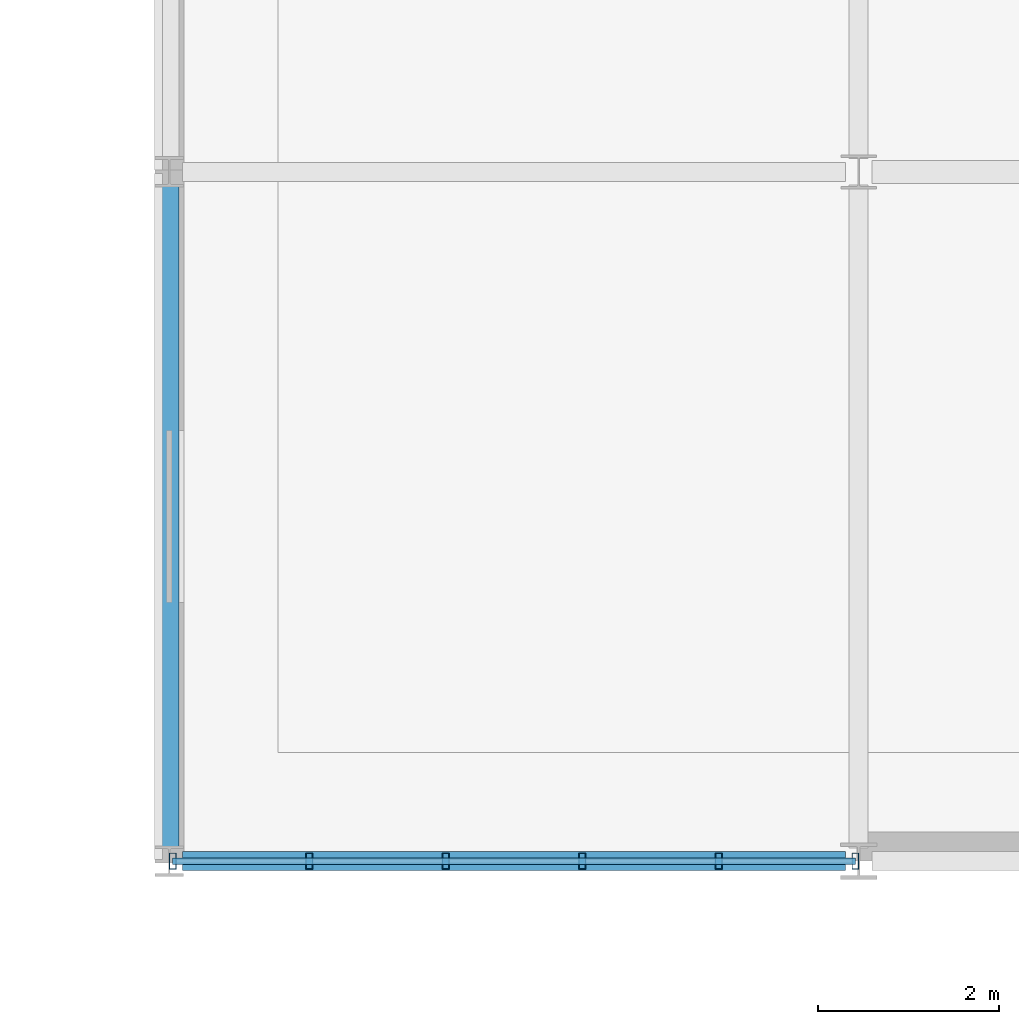
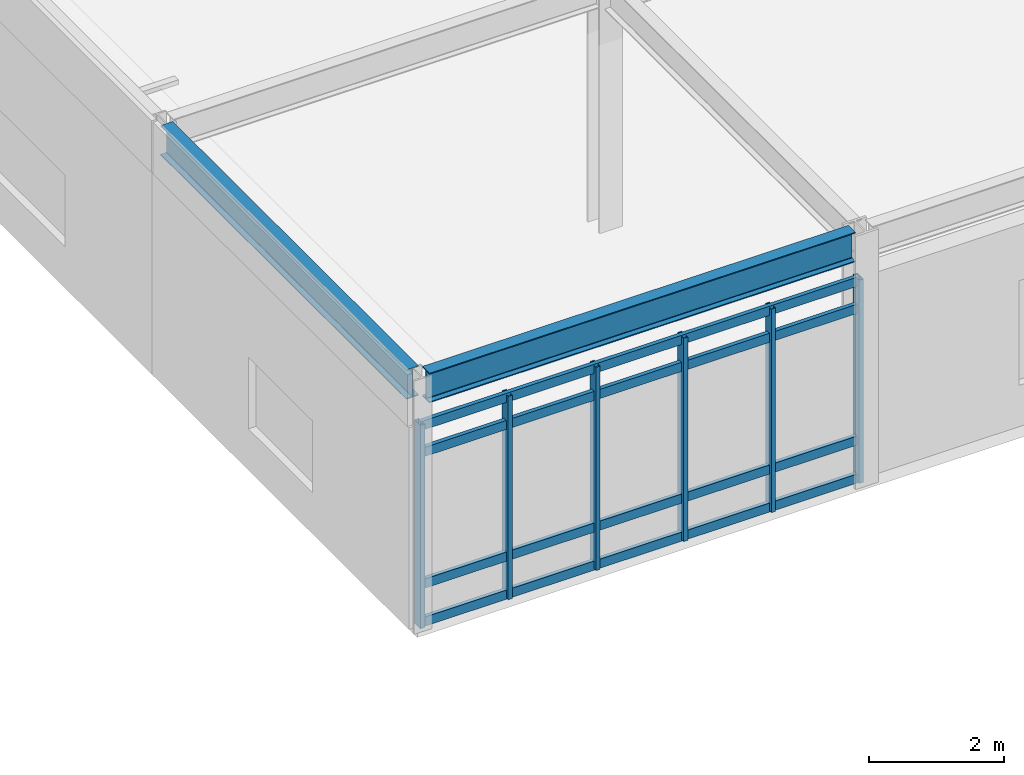
# One storey, part 41 of 104: 10 members, 2 beams, 1 element without a shape of its own.
"""IFC4 building model written with IfcOpenShell, lengths in metres."""

from ifc_helpers import new_model, si_unit, direction, frame, origin, origin_2d, place, context, subcontext, project, spatial, hollow_rectangle, i_section, extrude, material, material_profile, profile_set, type_object, element, aggregate, save


model = new_model("IFC4")

# Units and contexts
model_context = context("Model", 3, precision=1e-05, world=origin(), true_north=direction((0.0, 1.0)))
body_context = subcontext(model_context, "Body", "Model", "MODEL_VIEW")
ifc_project = project(units=[si_unit("LENGTHUNIT", "METRE"), si_unit("AREAUNIT", "SQUARE_METRE"), si_unit("VOLUMEUNIT", "CUBIC_METRE"), si_unit("PLANEANGLEUNIT", "RADIAN"), si_unit("MASSUNIT", "GRAM", prefix="KILO")], contexts=[model_context])

# Site, building, storey
site_placement = place(None, origin())
site = spatial("IfcSite", under=ifc_project, at=site_placement, CompositionType="ELEMENT")
building_placement = place(site_placement, origin())
building = spatial("IfcBuilding", under=site, at=building_placement, Name="Zulena Civic Courthouse", CompositionType="ELEMENT")
storey_placement = place(building_placement, frame((0.0, 0.0, 15.60009765625)))
storey = spatial("IfcBuildingStorey", under=building, at=storey_placement, Name="L03", CompositionType="ELEMENT", Elevation=15.60009765625)

# Curtain wall, members
ifc_material_1 = material(Name="Double-silver low-E laminated solar-control glass", Category="glass")
curtain_wall_type = type_object("IfcCurtainWallType", Name="CW_7528x3690", PredefinedType="USERDEFINED", material=ifc_material_1)
curtain_wall_placement = place(storey_placement, origin())
curtain_wall = element("IfcCurtainWall", 1, at=curtain_wall_placement, inside=storey, type_object=curtain_wall_type, Name="cw:V1:L03:3:5", ObjectType="UNITISED CURTAIN WALL", PredefinedType="USERDEFINED")
ifc_material_2 = material(Name="Bronze anodised thermally broken aluminium AA6063-T6", Category="aluminium")
ifc_material_profile_1 = material_profile(ifc_material_2, hollow_rectangle(XDim=0.074951171875, YDim=0.179931640625, WallThickness=0.0048828125, at=origin_2d()), Name="CWM180X75X5")
ifc_profile_set_1 = profile_set([ifc_material_profile_1], Name="Bronze anodised thermally broken aluminium AA6063-T6")
member_type_1 = type_object("IfcMemberType", Name="CWMullion_180x75", PredefinedType="MULLION", material=ifc_profile_set_1)
member_1_placement = place(storey_placement, frame((131.964111328125, 0.0, 0.0), z_axis=(0.0, 0.0, 1.0), x_axis=(1.0, 0.0, 0.0)))
member_1 = element("IfcMember", 2, at=member_1_placement, type_object=member_type_1, Name="cw:V1:L03:3:5:mull:0", PredefinedType="MULLION", context=body_context, shape_type="SweptSolid", body=[
    extrude(hollow_rectangle(XDim=0.074951171875, YDim=0.179931640625, WallThickness=0.0048828125, at=origin_2d()), origin(), (0.0, 0.0, 1.0), 3.68994140625),
])
member_2_placement = place(storey_placement, frame((130.45849609375, 0.0, 0.0), z_axis=(0.0, 0.0, 1.0), x_axis=(1.0, 0.0, 0.0)))
member_2 = element("IfcMember", 3, at=member_2_placement, type_object=member_type_1, Name="cw:V1:L03:3:5:mull:1", PredefinedType="MULLION", context=body_context, shape_type="SweptSolid", body=[
    extrude(hollow_rectangle(XDim=0.074951171875, YDim=0.179931640625, WallThickness=0.0048828125, at=origin_2d()), origin(), (0.0, 0.0, 1.0), 3.68994140625),
])
member_3_placement = place(storey_placement, frame((128.952880859375, 0.0, 0.0), z_axis=(0.0, 0.0, 1.0), x_axis=(1.0, 0.0, 0.0)))
member_3 = element("IfcMember", 4, at=member_3_placement, type_object=member_type_1, Name="cw:V1:L03:3:5:mull:2", PredefinedType="MULLION", context=body_context, shape_type="SweptSolid", body=[
    extrude(hollow_rectangle(XDim=0.074951171875, YDim=0.179931640625, WallThickness=0.0048828125, at=origin_2d()), origin(), (0.0, 0.0, 1.0), 3.68994140625),
])
member_4_placement = place(storey_placement, frame((127.447265625, 0.0, 0.0), z_axis=(0.0, 0.0, 1.0), x_axis=(1.0, 0.0, 0.0)))
member_4 = element("IfcMember", 5, at=member_4_placement, type_object=member_type_1, Name="cw:V1:L03:3:5:mull:3", PredefinedType="MULLION", context=body_context, shape_type="SweptSolid", body=[
    extrude(hollow_rectangle(XDim=0.074951171875, YDim=0.179931640625, WallThickness=0.0048828125, at=origin_2d()), origin(), (0.0, 0.0, 1.0), 3.68994140625),
])
member_5_placement = place(storey_placement, frame((125.941650390625, 0.0, 0.0), z_axis=(0.0, 0.0, 1.0), x_axis=(1.0, 0.0, 0.0)))
member_5 = element("IfcMember", 6, at=member_5_placement, type_object=member_type_1, Name="cw:V1:L03:3:5:mull:4", PredefinedType="MULLION", context=body_context, shape_type="SweptSolid", body=[
    extrude(hollow_rectangle(XDim=0.074951171875, YDim=0.179931640625, WallThickness=0.0048828125, at=origin_2d()), origin(), (0.0, 0.0, 1.0), 3.68994140625),
])
member_6_placement = place(storey_placement, frame((124.43603515625, 0.0, 0.0), z_axis=(0.0, 0.0, 1.0), x_axis=(1.0, 0.0, 0.0)))
member_6 = element("IfcMember", 7, at=member_6_placement, type_object=member_type_1, Name="cw:V1:L03:3:5:mull:5", PredefinedType="MULLION", context=body_context, shape_type="SweptSolid", body=[
    extrude(hollow_rectangle(XDim=0.074951171875, YDim=0.179931640625, WallThickness=0.0048828125, at=origin_2d()), origin(), (0.0, 0.0, 1.0), 3.68994140625),
])
ifc_material_profile_2 = material_profile(ifc_material_2, hollow_rectangle(XDim=0.070068359375, YDim=0.1650390625, WallThickness=0.00390625, at=origin_2d()), Name="CWT165X70X4")
ifc_profile_set_2 = profile_set([ifc_material_profile_2], Name="Bronze anodised thermally broken aluminium AA6063-T6")
member_type_2 = type_object("IfcMemberType", Name="CWTransom_165x70", PredefinedType="USERDEFINED", material=ifc_profile_set_2)
member_7_placement = place(storey_placement, frame((131.964111328125, 0.0, 0.059814453125), z_axis=(-1.0, 0.0, 0.0), x_axis=(0.0, -1.0, 0.0)))
member_7 = element("IfcMember", 8, at=member_7_placement, type_object=member_type_2, Name="cw:V1:L03:3:5:tran:0", ObjectType="TRANSOM", PredefinedType="USERDEFINED", context=body_context, shape_type="SweptSolid", body=[
    extrude(hollow_rectangle(XDim=0.070068359375, YDim=0.1650390625, WallThickness=0.00390625, at=origin_2d()), origin(), (0.0, 0.0, 1.0), 7.528076171875),
])
member_8_placement = place(storey_placement, frame((131.964111328125, 0.0, 0.75), z_axis=(-1.0, 0.0, 0.0), x_axis=(0.0, -1.0, 0.0)))
member_8 = element("IfcMember", 9, at=member_8_placement, type_object=member_type_2, Name="cw:V1:L03:3:5:tran:1", ObjectType="TRANSOM", PredefinedType="USERDEFINED", context=body_context, shape_type="SweptSolid", body=[
    extrude(hollow_rectangle(XDim=0.070068359375, YDim=0.1650390625, WallThickness=0.00390625, at=origin_2d()), origin(), (0.0, 0.0, 1.0), 7.528076171875),
])
member_9_placement = place(storey_placement, frame((131.964111328125, 0.0, 3.139892578125), z_axis=(-1.0, 0.0, 0.0), x_axis=(0.0, -1.0, 0.0)))
member_9 = element("IfcMember", 10, at=member_9_placement, type_object=member_type_2, Name="cw:V1:L03:3:5:tran:2", ObjectType="TRANSOM", PredefinedType="USERDEFINED", context=body_context, shape_type="SweptSolid", body=[
    extrude(hollow_rectangle(XDim=0.070068359375, YDim=0.1650390625, WallThickness=0.00390625, at=origin_2d()), origin(), (0.0, 0.0, 1.0), 7.528076171875),
])
member_10_placement = place(storey_placement, frame((131.964111328125, 0.0, 3.6298828125), z_axis=(-1.0, 0.0, 0.0), x_axis=(0.0, -1.0, 0.0)))
member_10 = element("IfcMember", 11, at=member_10_placement, type_object=member_type_2, Name="cw:V1:L03:3:5:tran:3", ObjectType="TRANSOM", PredefinedType="USERDEFINED", context=body_context, shape_type="SweptSolid", body=[
    extrude(hollow_rectangle(XDim=0.070068359375, YDim=0.1650390625, WallThickness=0.00390625, at=origin_2d()), origin(), (0.0, 0.0, 1.0), 7.528076171875),
])
aggregate(curtain_wall, [member_1, member_2, member_3, member_4, member_5, member_6, member_7, member_8, member_9, member_10])

# Beams
ifc_material_3 = material(Name="Steel ASTM A992 Grade 50", Category="steel")
ifc_material_profile_3 = material_profile(ifc_material_3, i_section(OverallWidth=0.2099609375, OverallDepth=0.537109375, WebThickness=0.010986328125, FlangeThickness=0.017333984375, FilletRadius=0.0126953125, at=origin_2d()), Name="W21X68")
ifc_profile_set_3 = profile_set([ifc_material_profile_3], Name="Steel ASTM A992 Grade 50")
beam_type = type_object("IfcBeamType", Name="Spandrel_W21X68", PredefinedType="SPANDREL", material=ifc_profile_set_3)
for number, where, z_axis, x_axis, name in (
    (12, (124.544921875, 0.0, 4.326416015625), (1.0, 0.0, 0.0), (0.0, 1.0, 0.0), "beam:X:V1:L03:0.0:124.4_132.0"),
    (13, (124.39990234375, 0.14501953125, 4.326416015625), (0.0, 1.0, 0.0), (-1.0, 0.0, 0.0), "beam:Y:V1:L03:124.4:0.0_7.6"),
):
    element("IfcBeam", number, at=place(storey_placement, frame(where, z_axis=z_axis, x_axis=x_axis)), inside=storey, type_object=beam_type, Name=name, PredefinedType="SPANDREL", context=body_context, shape_type="SweptSolid", body=[
        extrude(i_section(OverallWidth=0.2099609375, OverallDepth=0.537109375, WebThickness=0.010986328125, FlangeThickness=0.017333984375, FilletRadius=0.0126953125, at=origin_2d()), origin(), (0.0, 0.0, 1.0), 7.31005859375),
    ])

save(model, "model.ifc")
